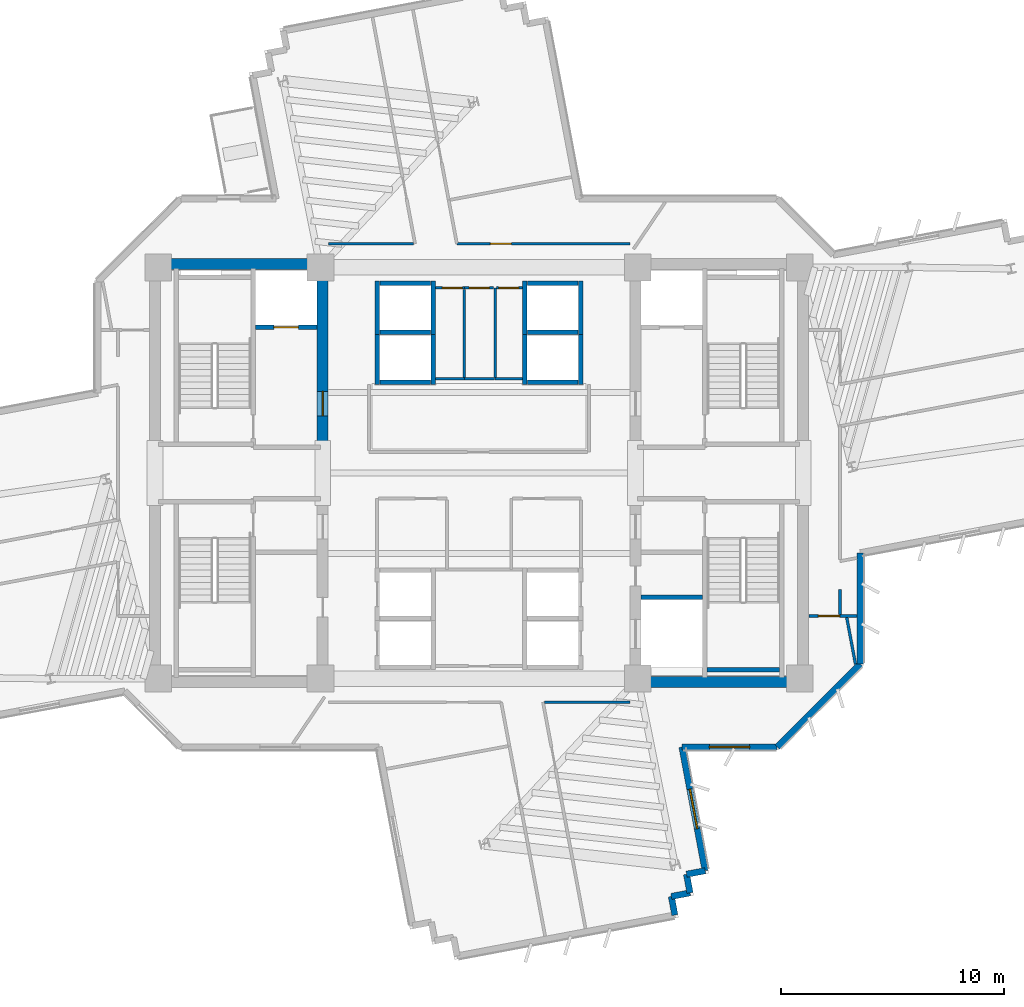
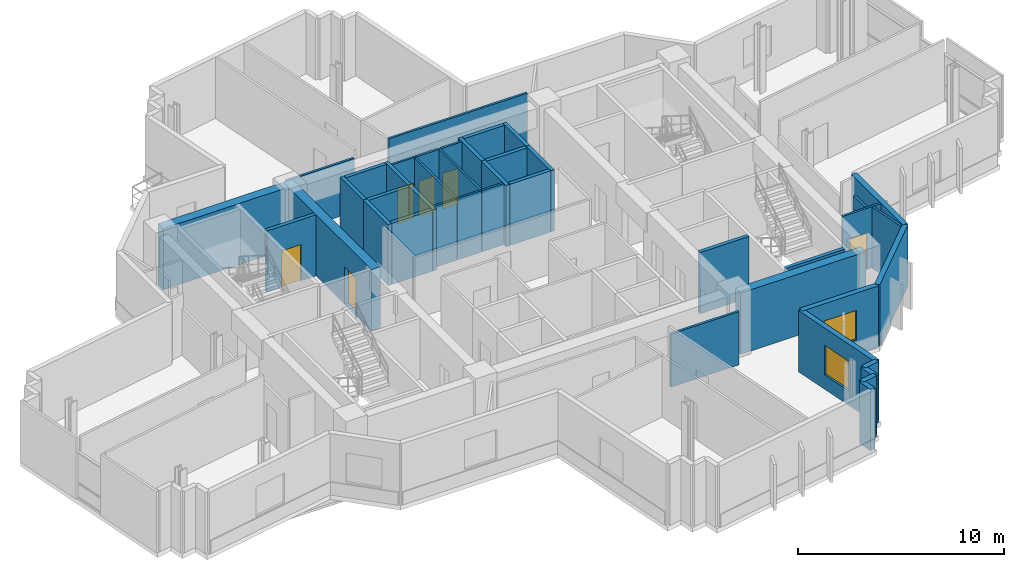
# One storey, part 10 of 16: 42 walls, 7 doors, 2 windows, 9 openings.
"""IFC4 building model written with IfcOpenShell, lengths in metres."""

from ifc_helpers import new_model, si_unit, direction, frame, frame_2d, origin, place, context, subcontext, project, spatial, rectangle, extrude, source, transform, mapped, material, layer, layer_set, type_object, element, fill, save


model = new_model("IFC4")

# Units and contexts
model_context = context("Model", 3, precision=1e-05, world=origin(), true_north=direction((0.0, 1.0)))
body_context = subcontext(model_context, "Body", "Model", "MODEL_VIEW")
ifc_project = project(units=[si_unit("LENGTHUNIT", "METRE"), si_unit("AREAUNIT", "SQUARE_METRE"), si_unit("VOLUMEUNIT", "CUBIC_METRE"), si_unit("PLANEANGLEUNIT", "RADIAN"), si_unit("MASSUNIT", "GRAM", prefix="KILO")], contexts=[model_context])

# Site, building, storey
site_placement = place(None, origin())
site = spatial("IfcSite", under=ifc_project, at=site_placement, CompositionType="ELEMENT")
building_placement = place(site_placement, origin())
building = spatial("IfcBuilding", under=site, at=building_placement, Name="Zahravan Cultural Tower", CompositionType="ELEMENT")
storey_placement = place(building_placement, frame((0.0, 0.0, 151.199951171875)))
storey = spatial("IfcBuildingStorey", under=building, at=storey_placement, Name="L34", CompositionType="ELEMENT", Elevation=151.199951171875)

# Wall, opening, door
ifc_material_1 = material(Name="Concrete C60/75", Category="concrete")
ifc_layer_1 = layer(ifc_material_1, 0.5)
ifc_layer_set_1 = layer_set([ifc_layer_1], Name="Concrete C60/75")
wall_type_1 = type_object("IfcWallType", Name="CW-SHEAR-500-C60", PredefinedType="SHEAR", material=ifc_layer_set_1)
wall_1_placement = place(storey_placement, frame((29.0, 28.050048828125, 0.0), z_axis=(0.0, 0.0, 1.0), x_axis=(0.0, 1.0, 0.0)))
wall_1 = element("IfcWall", 1, at=wall_1_placement, inside=storey, type_object=wall_type_1, Name="L34 Core Shear Wall CW-W-EN-L34", PredefinedType="SHEAR", context=body_context, shape_type="SweptSolid", body=[
    extrude(rectangle(XDim=8.550048828125, YDim=0.5, at=frame_2d((4.27490234375, 0.0))), origin(), (0.0, 0.0, 1.0), 3.6201171875),
])
opening_1_placement = place(wall_1_placement, frame((1.5, 0.0, 0.0)))
opening_1 = element("IfcOpeningElement", 2, at=opening_1_placement, cuts=wall_1, Name="Opening D-L34-05", PredefinedType="OPENING", context=body_context, shape_type="SweptSolid", body=[
    extrude(rectangle(XDim=1.10009765625, YDim=2.199951171875, at=frame_2d((0.550048828125, 1.10009765625))), frame((0.0, 0.260009765625, 0.0), z_axis=(0.0, -1.0, 0.0), x_axis=(1.0, 0.0, 0.0)), (0.0, 0.0, 1.0), 0.52001953125),
])
ifc_material_2 = material(Name="Steel ASTM A572 Grade 50", Category="steel")
door_type_1 = type_object("IfcDoorType", Name="DR-LOBBY-1100", OperationType="NOTDEFINED", PredefinedType="DOOR", material=ifc_material_2)
shared_shape_1 = source(origin(), body_context, "Body", "SweptSolid", [
    extrude(rectangle(XDim=1.10009765625, YDim=2.199951171875, at=frame_2d((0.550048828125, 1.10009765625))), frame((0.0, 0.02490234375, 0.0), z_axis=(0.0, -1.0, 0.0), x_axis=(1.0, 0.0, 0.0)), (0.0, 0.0, 1.0), 0.050048828125),
])
door_1_placement = place(opening_1_placement, origin())
door_1 = element("IfcDoor", 3, at=door_1_placement, inside=storey, type_object=door_type_1, Name="L34 Door D-L34-05", OperationType="SINGLE_SWING_RIGHT", OverallHeight=2.199951171875, OverallWidth=1.10009765625, PredefinedType="DOOR", context=body_context, shape_type="MappedRepresentation", body=[
    mapped(shared_shape_1, transform((0.0, 0.0, 0.0), x_axis=(1.0, 0.0, 0.0), y_axis=(0.0, 1.0, 0.0), z_axis=(0.0, 0.0, 1.0), scale=1.0)),
])
fill(opening_1, door_1)

# Wall, opening, window
ifc_material_3 = material(Name="Precast concrete C40/50", Category="concrete")
ifc_layer_2 = layer(ifc_material_3, 0.280029296875)
ifc_layer_set_2 = layer_set([ifc_layer_2], Name="Precast concrete C40/50")
wall_type_2 = type_object("IfcWallType", Name="EW-TC-280", PredefinedType="SOLIDWALL", material=ifc_layer_set_2)
wall_2_placement = place(storey_placement, frame((49.342041015625, 14.739990234375, 0.0), z_axis=(0.0, 0.0, 1.0), x_axis=(-1.0, 0.0, 0.0)))
wall_2 = element("IfcWall", 4, at=wall_2_placement, inside=storey, type_object=wall_type_2, Name="L34 Exterior Masonry Frame Wall 13", PredefinedType="SOLIDWALL", context=body_context, shape_type="SweptSolid", body=[
    extrude(rectangle(XDim=4.262451171875, YDim=0.280029296875, at=frame_2d((2.13134765625, 0.0))), origin(), (0.0, 0.0, 1.0), 3.6201171875),
])
opening_2_placement = place(wall_2_placement, frame((1.23095703125, 0.0, 0.85009765625)))
opening_2 = element("IfcOpeningElement", 5, at=opening_2_placement, cuts=wall_2, Name="Opening WN-02", PredefinedType="OPENING", context=body_context, shape_type="SweptSolid", body=[
    extrude(rectangle(XDim=1.800048828125, YDim=1.75, at=frame_2d((0.89990234375, 0.875))), frame((0.0, 0.14990234375, 0.0), z_axis=(0.0, -1.0, 0.0), x_axis=(1.0, 0.0, 0.0)), (0.0, 0.0, 1.0), 0.300048828125),
])
ifc_material_4 = material(Name="Low-E solar-control double glazing", Category="glass")
window_type = type_object("IfcWindowType", Name="WN-REC-1800X1750", PartitioningType="DOUBLE_PANEL_VERTICAL", PredefinedType="WINDOW", material=ifc_material_4)
shared_shape_2 = source(origin(), body_context, "Body", "SweptSolid", [
    extrude(rectangle(XDim=1.800048828125, YDim=1.75, at=frame_2d((0.89990234375, 0.875))), frame((0.0, 0.030029296875, 0.0), z_axis=(0.0, -1.0, 0.0), x_axis=(1.0, 0.0, 0.0)), (0.0, 0.0, 1.0), 0.06005859375),
])
window_1_placement = place(opening_2_placement, origin())
window_1 = element("IfcWindow", 6, at=window_1_placement, inside=storey, type_object=window_type, Name="L34 Recessed Solar Window 03", OverallHeight=1.75, OverallWidth=1.800048828125, PartitioningType="DOUBLE_PANEL_VERTICAL", PredefinedType="WINDOW", context=body_context, shape_type="MappedRepresentation", body=[
    mapped(shared_shape_2, transform((0.0, 0.0, 0.0), x_axis=(1.0, 0.0, 0.0), y_axis=(0.0, 1.0, 0.0), z_axis=(0.0, 0.0, 1.0), scale=1.0)),
])
fill(opening_2, window_1)

wall_3_placement = place(storey_placement, frame((45.07958984375, 14.739990234375, 0.0), z_axis=(0.0, 0.0, 1.0), x_axis=(0.184678339457, -0.982799018587, 0.0)))
wall_3 = element("IfcWall", 7, at=wall_3_placement, inside=storey, type_object=wall_type_2, Name="L34 Exterior Masonry Frame Wall 14", PredefinedType="SOLIDWALL", context=body_context, shape_type="SweptSolid", body=[
    extrude(rectangle(XDim=5.63427734375, YDim=0.280029296875, at=frame_2d((2.817138671875, 0.0))), origin(), (0.0, 0.0, 1.0), 3.6201171875),
])
opening_3_placement = place(wall_3_placement, frame((1.9169921875, 0.0, 0.85009765625)))
opening_3 = element("IfcOpeningElement", 8, at=opening_3_placement, cuts=wall_3, Name="Opening WN-02", PredefinedType="OPENING", context=body_context, shape_type="SweptSolid", body=[
    extrude(rectangle(XDim=1.800048828125, YDim=1.75, at=frame_2d((0.89990234375, 0.875))), frame((0.0, 0.14990234375, 0.0), z_axis=(0.0, -1.0, 0.0), x_axis=(1.0, 0.0, 0.0)), (0.0, 0.0, 1.0), 0.300048828125),
])
window_2_placement = place(opening_3_placement, origin())
window_2 = element("IfcWindow", 9, at=window_2_placement, inside=storey, type_object=window_type, Name="L34 Recessed Solar Window 04", OverallHeight=1.75, OverallWidth=1.800048828125, PartitioningType="DOUBLE_PANEL_VERTICAL", PredefinedType="WINDOW", context=body_context, shape_type="MappedRepresentation", body=[
    mapped(shared_shape_2, transform((0.0, 0.0, 0.0), x_axis=(1.0, 0.0, 0.0), y_axis=(0.0, 1.0, 0.0), z_axis=(0.0, 0.0, 1.0), scale=1.0)),
])
fill(opening_3, window_2)

# Wall, opening, door
ifc_material_5 = material(Name="Gypsum plasterboard partition")
ifc_layer_3 = layer(ifc_material_5, 0.125)
ifc_layer_set_3 = layer_set([ifc_layer_3], Name="Gypsum plasterboard partition")
wall_type_3 = type_object("IfcWallType", Name="W-PART-125", PredefinedType="PARTITIONING", material=ifc_layer_set_3)
wall_4_placement = place(storey_placement, frame((50.7548828125, 20.60009765625, 0.0), z_axis=(0.0, 0.0, 1.0), x_axis=(0.99999875384, 0.001578708001, 0.0)))
wall_4 = element("IfcWall", 10, at=wall_4_placement, inside=storey, type_object=wall_type_3, Name="L34 Interior Wall 065", PredefinedType="PARTITIONING", context=body_context, shape_type="SweptSolid", body=[
    extrude(rectangle(XDim=2.1650390625, YDim=0.125, at=frame_2d((1.08251953125, 0.0))), origin(), (0.0, 0.0, 1.0), 3.6201171875),
])
opening_4_placement = place(wall_4_placement, frame((0.42529296875, 0.0, 0.0)))
opening_4 = element("IfcOpeningElement", 11, at=opening_4_placement, cuts=wall_4, Name="Opening D-L34-18", PredefinedType="OPENING", context=body_context, shape_type="SweptSolid", body=[
    extrude(rectangle(XDim=0.949951171875, YDim=2.14990234375, at=frame_2d((0.47509765625, 1.074951171875))), frame((0.0, 0.072509765625, 0.0), z_axis=(0.0, -1.0, 0.0), x_axis=(1.0, 0.0, 0.0)), (0.0, 0.0, 1.0), 0.14501953125),
])
ifc_material_6 = material(Name="Anodised bronze-aluminium mullion", Category="aluminium")
door_type_2 = type_object("IfcDoorType", Name="DR-ROOM-950", OperationType="NOTDEFINED", PredefinedType="DOOR", material=ifc_material_6)
shared_shape_3 = source(origin(), body_context, "Body", "SweptSolid", [
    extrude(rectangle(XDim=0.949951171875, YDim=2.14990234375, at=frame_2d((0.47509765625, 1.074951171875))), frame((0.0, 0.02490234375, 0.0), z_axis=(0.0, -1.0, 0.0), x_axis=(1.0, 0.0, 0.0)), (0.0, 0.0, 1.0), 0.050048828125),
])
door_2_placement = place(opening_4_placement, origin())
door_2 = element("IfcDoor", 12, at=door_2_placement, inside=storey, type_object=door_type_2, Name="L34 Door D-L34-18", OperationType="SINGLE_SWING_LEFT", OverallHeight=2.14990234375, OverallWidth=0.949951171875, PredefinedType="DOOR", context=body_context, shape_type="MappedRepresentation", body=[
    mapped(shared_shape_3, transform((0.0, 0.0, 0.0), x_axis=(1.0, 0.0, 0.0), y_axis=(0.0, 1.0, 0.0), z_axis=(0.0, 0.0, 1.0), scale=1.0)),
])
fill(opening_4, door_2)

wall_5_placement = place(storey_placement, frame((42.7490234375, 37.259033203125, 0.0), z_axis=(0.0, 0.0, 1.0), x_axis=(-0.999999992041, 0.000126163065, 0.0)))
wall_5 = element("IfcWall", 13, at=wall_5_placement, inside=storey, type_object=wall_type_3, Name="L34 Interior Wall 076", PredefinedType="PARTITIONING", context=body_context, shape_type="SweptSolid", body=[
    extrude(rectangle(XDim=7.740478515625, YDim=0.125, at=frame_2d((3.8701171875, 0.0))), origin(), (0.0, 0.0, 1.0), 3.6201171875),
])
opening_5_placement = place(wall_5_placement, frame((5.29638671875, 0.0, 0.0)))
opening_5 = element("IfcOpeningElement", 14, at=opening_5_placement, cuts=wall_5, Name="Opening D-L34-21", PredefinedType="OPENING", context=body_context, shape_type="SweptSolid", body=[
    extrude(rectangle(XDim=0.949951171875, YDim=2.14990234375, at=frame_2d((0.47509765625, 1.074951171875))), frame((0.0, 0.072509765625, 0.0), z_axis=(0.0, -1.0, 0.0), x_axis=(1.0, 0.0, 0.0)), (0.0, 0.0, 1.0), 0.14501953125),
])
door_3_placement = place(opening_5_placement, origin())
door_3 = element("IfcDoor", 15, at=door_3_placement, inside=storey, type_object=door_type_2, Name="L34 Door D-L34-21", OperationType="SINGLE_SWING_RIGHT", OverallHeight=2.14990234375, OverallWidth=0.949951171875, PredefinedType="DOOR", context=body_context, shape_type="MappedRepresentation", body=[
    mapped(shared_shape_3, transform((0.0, 0.0, 0.0), x_axis=(1.0, 0.0, 0.0), y_axis=(0.0, 1.0, 0.0), z_axis=(0.0, 0.0, 1.0), scale=1.0)),
])
fill(opening_5, door_3)

ifc_material_7 = material(Name="Concrete C45/55", Category="concrete")
ifc_layer_4 = layer(ifc_material_7, 0.199951171875)
ifc_layer_set_4 = layer_set([ifc_layer_4], Name="Concrete C45/55")
wall_type_4 = type_object("IfcWallType", Name="W-SHAFT-200", PredefinedType="SOLIDWALL", material=ifc_layer_set_4)
wall_6_placement = place(storey_placement, frame((26.0, 33.52001953125, 0.0), z_axis=(0.0, 0.0, 1.0), x_axis=(1.0, 0.0, 0.0)))
wall_6 = element("IfcWall", 16, at=wall_6_placement, inside=storey, type_object=wall_type_4, Name="L34 Interior Wall 021", PredefinedType="SOLIDWALL", context=body_context, shape_type="SweptSolid", body=[
    extrude(rectangle(XDim=2.75, YDim=0.199951171875, at=frame_2d((1.375, 0.0))), origin(), (0.0, 0.0, 1.0), 3.6201171875),
])
opening_6_placement = place(wall_6_placement, frame((0.820068359375, 0.0, 0.0)))
opening_6 = element("IfcOpeningElement", 17, at=opening_6_placement, cuts=wall_6, Name="Opening LD-L34-01", PredefinedType="OPENING", context=body_context, shape_type="SweptSolid", body=[
    extrude(rectangle(XDim=1.10009765625, YDim=2.14990234375, at=frame_2d((0.550048828125, 1.074951171875))), frame((0.0, 0.10986328125, 0.0), z_axis=(0.0, -1.0, 0.0), x_axis=(1.0, 0.0, 0.0)), (0.0, 0.0, 1.0), 0.219970703125),
])
door_type_3 = type_object("IfcDoorType", Name="DR-LIFT-1100", OperationType="DOUBLE_DOOR_SLIDING", PredefinedType="DOOR", material=ifc_material_2)
shared_shape_4 = source(origin(), body_context, "Body", "SweptSolid", [
    extrude(rectangle(XDim=1.10009765625, YDim=2.14990234375, at=frame_2d((0.550048828125, 1.074951171875))), frame((0.0, 0.02490234375, 0.0), z_axis=(0.0, -1.0, 0.0), x_axis=(1.0, 0.0, 0.0)), (0.0, 0.0, 1.0), 0.050048828125),
])
door_4_placement = place(opening_6_placement, origin())
door_4 = element("IfcDoor", 18, at=door_4_placement, inside=storey, type_object=door_type_3, Name="L34 Door LD-L34-01", OperationType="DOUBLE_DOOR_SLIDING", OverallHeight=2.14990234375, OverallWidth=1.10009765625, PredefinedType="DOOR", context=body_context, shape_type="MappedRepresentation", body=[
    mapped(shared_shape_4, transform((0.0, 0.0, 0.0), x_axis=(1.0, 0.0, 0.0), y_axis=(0.0, 1.0, 0.0), z_axis=(0.0, 0.0, 1.0), scale=1.0)),
])
fill(opening_6, door_4)

ifc_layer_5 = layer(ifc_material_5, 0.114990234375)
ifc_layer_set_5 = layer_set([ifc_layer_5], Name="Gypsum plasterboard partition")
wall_type_5 = type_object("IfcWallType", Name="W-WC-115", PredefinedType="PARTITIONING", material=ifc_layer_set_5)
wall_7_placement = place(storey_placement, frame((36.782470703125, 35.280029296875, 0.0), z_axis=(0.0, 0.0, 1.0), x_axis=(1.0, 0.0, 0.0)))
wall_7 = element("IfcWall", 19, at=wall_7_placement, inside=storey, type_object=wall_type_5, Name="L34 Interior Wall 056", PredefinedType="PARTITIONING", context=body_context, shape_type="SweptSolid", body=[
    extrude(rectangle(XDim=1.16259765625, YDim=0.114990234375, at=frame_2d((0.581298828125, 0.0))), origin(), (0.0, 0.0, 1.0), 3.6201171875),
])
opening_7_placement = place(wall_7_placement, frame((0.0888671875, 0.0, 0.0)))
opening_7 = element("IfcOpeningElement", 20, at=opening_7_placement, cuts=wall_7, Name="Opening D-L34-15", PredefinedType="OPENING", context=body_context, shape_type="SweptSolid", body=[
    extrude(rectangle(XDim=0.89990234375, YDim=2.10009765625, at=frame_2d((0.449951171875, 1.050048828125))), frame((0.0, 0.0673828125, 0.0), z_axis=(0.0, -1.0, 0.0), x_axis=(1.0, 0.0, 0.0)), (0.0, 0.0, 1.0), 0.135009765625),
])
door_type_4 = type_object("IfcDoorType", Name="DR-WC-900", OperationType="NOTDEFINED", PredefinedType="DOOR", material=ifc_material_6)
shared_shape_5 = source(origin(), body_context, "Body", "SweptSolid", [
    extrude(rectangle(XDim=0.89990234375, YDim=2.10009765625, at=frame_2d((0.449951171875, 1.050048828125))), frame((0.0, 0.02490234375, 0.0), z_axis=(0.0, -1.0, 0.0), x_axis=(1.0, 0.0, 0.0)), (0.0, 0.0, 1.0), 0.050048828125),
])
door_5_placement = place(opening_7_placement, origin())
door_5 = element("IfcDoor", 21, at=door_5_placement, inside=storey, type_object=door_type_4, Name="L34 Door D-L34-15", OperationType="SINGLE_SWING_RIGHT", OverallHeight=2.10009765625, OverallWidth=0.89990234375, PredefinedType="DOOR", context=body_context, shape_type="MappedRepresentation", body=[
    mapped(shared_shape_5, transform((0.0, 0.0, 0.0), x_axis=(1.0, 0.0, 0.0), y_axis=(0.0, 1.0, 0.0), z_axis=(0.0, 0.0, 1.0), scale=1.0)),
])
fill(opening_7, door_5)

wall_8_placement = place(storey_placement, frame((34.054931640625, 35.280029296875, 0.0), z_axis=(0.0, 0.0, 1.0), x_axis=(1.0, 0.0, 0.0)))
wall_8 = element("IfcWall", 22, at=wall_8_placement, inside=storey, type_object=wall_type_5, Name="L34 Interior Wall 058", PredefinedType="PARTITIONING", context=body_context, shape_type="SweptSolid", body=[
    extrude(rectangle(XDim=1.28515625, YDim=0.114990234375, at=frame_2d((0.642578125, 0.0))), origin(), (0.0, 0.0, 1.0), 3.6201171875),
])
opening_8_placement = place(wall_8_placement, frame((0.30029296875, 0.0, 0.0)))
opening_8 = element("IfcOpeningElement", 23, at=opening_8_placement, cuts=wall_8, Name="Opening D-L34-13", PredefinedType="OPENING", context=body_context, shape_type="SweptSolid", body=[
    extrude(rectangle(XDim=0.89990234375, YDim=2.10009765625, at=frame_2d((0.449951171875, 1.050048828125))), frame((0.0, 0.0673828125, 0.0), z_axis=(0.0, -1.0, 0.0), x_axis=(1.0, 0.0, 0.0)), (0.0, 0.0, 1.0), 0.135009765625),
])
door_6_placement = place(opening_8_placement, origin())
door_6 = element("IfcDoor", 24, at=door_6_placement, inside=storey, type_object=door_type_4, Name="L34 Door D-L34-13", OperationType="SINGLE_SWING_RIGHT", OverallHeight=2.10009765625, OverallWidth=0.89990234375, PredefinedType="DOOR", context=body_context, shape_type="MappedRepresentation", body=[
    mapped(shared_shape_5, transform((0.0, 0.0, 0.0), x_axis=(1.0, 0.0, 0.0), y_axis=(0.0, 1.0, 0.0), z_axis=(0.0, 0.0, 1.0), scale=1.0)),
])
fill(opening_8, door_6)

wall_9_placement = place(storey_placement, frame((35.360107421875, 35.280029296875, 0.0), z_axis=(0.0, 0.0, 1.0), x_axis=(1.0, 0.0, 0.0)))
wall_9 = element("IfcWall", 25, at=wall_9_placement, inside=storey, type_object=wall_type_5, Name="L34 Interior Wall 061", PredefinedType="PARTITIONING", context=body_context, shape_type="SweptSolid", body=[
    extrude(rectangle(XDim=1.29736328125, YDim=0.114990234375, at=frame_2d((0.648681640625, 0.0))), origin(), (0.0, 0.0, 1.0), 3.6201171875),
])
opening_9_placement = place(wall_9_placement, frame((0.19873046875, 0.0, 0.0)))
opening_9 = element("IfcOpeningElement", 26, at=opening_9_placement, cuts=wall_9, Name="Opening D-L34-14", PredefinedType="OPENING", context=body_context, shape_type="SweptSolid", body=[
    extrude(rectangle(XDim=0.89990234375, YDim=2.10009765625, at=frame_2d((0.449951171875, 1.050048828125))), frame((0.0, 0.0673828125, 0.0), z_axis=(0.0, -1.0, 0.0), x_axis=(1.0, 0.0, 0.0)), (0.0, 0.0, 1.0), 0.135009765625),
])
door_7_placement = place(opening_9_placement, origin())
door_7 = element("IfcDoor", 27, at=door_7_placement, inside=storey, type_object=door_type_4, Name="L34 Door D-L34-14", OperationType="SINGLE_SWING_LEFT", OverallHeight=2.10009765625, OverallWidth=0.89990234375, PredefinedType="DOOR", context=body_context, shape_type="MappedRepresentation", body=[
    mapped(shared_shape_5, transform((0.0, 0.0, 0.0), x_axis=(1.0, 0.0, 0.0), y_axis=(0.0, 1.0, 0.0), z_axis=(0.0, 0.0, 1.0), scale=1.0)),
])
fill(opening_9, door_7)

# Walls
shared_shape_6 = source(origin(), body_context, "Body", "SweptSolid", [
    extrude(rectangle(XDim=7.0, YDim=0.5, at=frame_2d((3.5, 0.0))), origin(), (0.0, 0.0, 1.0), 3.6201171875),
])
for number, where, z_axis, x_axis, name in (
    (28, (21.75, 36.35009765625, 0.0), (0.0, 0.0, 1.0), (1.0, 0.0, 0.0), "L34 Core Shear Wall CW-W-N-L34"),
    (29, (43.25, 17.64990234375, 0.0), (0.0, 0.0, 1.0), (1.0, 0.0, 0.0), "L34 Core Shear Wall CW-E-S-L34"),
):
    element("IfcWall", number, at=place(storey_placement, frame(where, z_axis=z_axis, x_axis=x_axis)), inside=storey, type_object=wall_type_1, Name=name, PredefinedType="SHEAR", context=body_context, shape_type="MappedRepresentation", body=[
        mapped(shared_shape_6, transform((0.0, 0.0, 0.0), x_axis=(1.0, 0.0, 0.0), y_axis=(0.0, 1.0, 0.0), z_axis=(0.0, 0.0, 1.0), scale=1.0)),
    ])
shared_shape_7 = source(origin(), body_context, "Body", "SweptSolid", [
    extrude(rectangle(XDim=0.85009765625, YDim=0.280029296875, at=frame_2d((0.425048828125, 0.0))), origin(), (0.0, 0.0, 1.0), 3.6201171875),
])
for number, where, z_axis, x_axis, name in (
    (30, (46.1201171875, 9.20263671875, 0.0), (0.0, 0.0, 1.0), (-0.982800583684, -0.184670010318, 0.0), "L34 Exterior Masonry Frame Wall 15"),
    (31, (45.28466796875, 9.045654296875, 0.0), (0.0, 0.0, 1.0), (0.184670010318, -0.982800583684, 0.0), "L34 Exterior Masonry Frame Wall 16"),
    (32, (45.441650390625, 8.210205078125, 0.0), (0.0, 0.0, 1.0), (-0.982800583684, -0.184670010318, 0.0), "L34 Exterior Masonry Frame Wall 17"),
    (33, (44.606201171875, 8.05322265625, 0.0), (0.0, 0.0, 1.0), (0.184670010318, -0.982800583684, 0.0), "L34 Exterior Masonry Frame Wall 18"),
):
    element("IfcWall", number, at=place(storey_placement, frame(where, z_axis=z_axis, x_axis=x_axis)), inside=storey, type_object=wall_type_2, Name=name, PredefinedType="SOLIDWALL", context=body_context, shape_type="MappedRepresentation", body=[
        mapped(shared_shape_7, transform((0.0, 0.0, 0.0), x_axis=(1.0, 0.0, 0.0), y_axis=(0.0, 1.0, 0.0), z_axis=(0.0, 0.0, 1.0), scale=1.0)),
    ])
shared_shape_8 = source(origin(), body_context, "Body", "SweptSolid", [
    extrude(rectangle(XDim=5.258056640625, YDim=0.280029296875, at=frame_2d((2.62890625, 0.0))), origin(), (0.0, 0.0, 1.0), 3.6201171875),
])
wall_10_placement = place(storey_placement, frame((53.06005859375, 18.4580078125, 0.0), z_axis=(0.0, 0.0, 1.0), x_axis=(-0.707106781187, -0.707106781187, 0.0)))
element("IfcWall", 34, at=wall_10_placement, inside=storey, type_object=wall_type_2, Name="L34 Exterior Masonry Frame Wall 12", PredefinedType="SOLIDWALL", context=body_context, shape_type="MappedRepresentation", body=[
    mapped(shared_shape_8, transform((0.0, 0.0, 0.0), x_axis=(1.0, 0.0, 0.0), y_axis=(0.0, 1.0, 0.0), z_axis=(0.0, 0.0, 1.0), scale=1.0)),
])
shared_shape_9 = source(origin(), body_context, "Body", "SweptSolid", [
    extrude(rectangle(XDim=4.970458984375, YDim=0.280029296875, at=frame_2d((2.4853515625, 0.0))), origin(), (0.0, 0.0, 1.0), 3.6201171875),
])
wall_11_placement = place(storey_placement, frame((53.06005859375, 23.428466796875, 0.0), z_axis=(0.0, 0.0, 1.0), x_axis=(0.0, -1.0, 0.0)))
element("IfcWall", 35, at=wall_11_placement, inside=storey, type_object=wall_type_2, Name="L34 Exterior Masonry Frame Wall 11", PredefinedType="SOLIDWALL", context=body_context, shape_type="MappedRepresentation", body=[
    mapped(shared_shape_9, transform((0.0, 0.0, 0.0), x_axis=(1.0, 0.0, 0.0), y_axis=(0.0, 1.0, 0.0), z_axis=(0.0, 0.0, 1.0), scale=1.0)),
])
shared_shape_10 = source(origin(), body_context, "Body", "SweptSolid", [
    extrude(rectangle(XDim=3.25, YDim=0.199951171875, at=frame_2d((1.625, 0.0))), origin(), (0.0, 0.0, 1.0), 3.6201171875),
])
wall_12_placement = place(storey_placement, frame((46.199951171875, 18.199951171875, 0.0), z_axis=(0.0, 0.0, 1.0), x_axis=(1.0, 0.0, 0.0)))
element("IfcWall", 36, at=wall_12_placement, inside=storey, type_object=wall_type_4, Name="L34 Interior Wall 020", PredefinedType="SOLIDWALL", context=body_context, shape_type="MappedRepresentation", body=[
    mapped(shared_shape_10, transform((0.0, 0.0, 0.0), x_axis=(1.0, 0.0, 0.0), y_axis=(0.0, 1.0, 0.0), z_axis=(0.0, 0.0, 1.0), scale=1.0)),
])
shared_shape_11 = source(origin(), body_context, "Body", "SweptSolid", [
    extrude(rectangle(XDim=2.75, YDim=0.199951171875, at=frame_2d((1.375, 0.0))), origin(), (0.0, 0.0, 1.0), 3.6201171875),
])
wall_13_placement = place(storey_placement, frame((43.25, 21.449951171875, 0.0), z_axis=(0.0, 0.0, 1.0), x_axis=(1.0, 0.0, 0.0)))
element("IfcWall", 37, at=wall_13_placement, inside=storey, type_object=wall_type_4, Name="L34 Interior Wall 025", PredefinedType="SOLIDWALL", context=body_context, shape_type="MappedRepresentation", body=[
    mapped(shared_shape_11, transform((0.0, 0.0, 0.0), x_axis=(1.0, 0.0, 0.0), y_axis=(0.0, 1.0, 0.0), z_axis=(0.0, 0.0, 1.0), scale=1.0)),
])
shared_shape_12 = source(origin(), body_context, "Body", "SweptSolid", [
    extrude(rectangle(XDim=2.400146484375, YDim=0.199951171875, at=frame_2d((1.2001953125, 0.0))), origin(), (0.0, 0.0, 1.0), 3.6201171875),
])
for number, where, z_axis, x_axis, name in (
    (38, (31.449951171875, 33.199951171875, 0.0), (0.0, 0.0, 1.0), (0.0, 1.0, 0.0), "L34 Interior Wall 026"),
    (39, (33.949951171875, 33.199951171875, 0.0), (0.0, 0.0, 1.0), (0.0, 1.0, 0.0), "L34 Interior Wall 027"),
    (40, (31.449951171875, 30.949951171875, 0.0), (0.0, 0.0, 1.0), (0.0, 1.0, 0.0), "L34 Interior Wall 030"),
    (41, (33.949951171875, 30.949951171875, 0.0), (0.0, 0.0, 1.0), (0.0, 1.0, 0.0), "L34 Interior Wall 031"),
    (42, (38.050048828125, 33.199951171875, 0.0), (0.0, 0.0, 1.0), (0.0, 1.0, 0.0), "L34 Interior Wall 033"),
    (43, (40.550048828125, 33.199951171875, 0.0), (0.0, 0.0, 1.0), (0.0, 1.0, 0.0), "L34 Interior Wall 034"),
    (44, (38.050048828125, 30.949951171875, 0.0), (0.0, 0.0, 1.0), (0.0, 1.0, 0.0), "L34 Interior Wall 037"),
    (45, (40.550048828125, 30.949951171875, 0.0), (0.0, 0.0, 1.0), (0.0, 1.0, 0.0), "L34 Interior Wall 038"),
):
    element("IfcWall", number, at=place(storey_placement, frame(where, z_axis=z_axis, x_axis=x_axis)), inside=storey, type_object=wall_type_4, Name=name, PredefinedType="SOLIDWALL", context=body_context, shape_type="MappedRepresentation", body=[
        mapped(shared_shape_12, transform((0.0, 0.0, 0.0), x_axis=(1.0, 0.0, 0.0), y_axis=(0.0, 1.0, 0.0), z_axis=(0.0, 0.0, 1.0), scale=1.0)),
    ])
shared_shape_13 = source(origin(), body_context, "Body", "SweptSolid", [
    extrude(rectangle(XDim=2.260009765625, YDim=0.199951171875, at=frame_2d((1.1298828125, 0.0))), origin(), (0.0, 0.0, 1.0), 3.6201171875),
])
for number, where, z_axis, x_axis, name in (
    (46, (31.570068359375, 33.300048828125, 0.0), (0.0, 0.0, 1.0), (1.0, 0.0, 0.0), "L34 Interior Wall 028"),
    (47, (31.570068359375, 35.5, 0.0), (0.0, 0.0, 1.0), (1.0, 0.0, 0.0), "L34 Interior Wall 029"),
    (48, (31.570068359375, 31.050048828125, 0.0), (0.0, 0.0, 1.0), (1.0, 0.0, 0.0), "L34 Interior Wall 032"),
    (49, (38.169921875, 33.300048828125, 0.0), (0.0, 0.0, 1.0), (1.0, 0.0, 0.0), "L34 Interior Wall 035"),
    (50, (38.169921875, 35.5, 0.0), (0.0, 0.0, 1.0), (1.0, 0.0, 0.0), "L34 Interior Wall 036"),
    (51, (38.169921875, 31.050048828125, 0.0), (0.0, 0.0, 1.0), (1.0, 0.0, 0.0), "L34 Interior Wall 039"),
):
    element("IfcWall", number, at=place(storey_placement, frame(where, z_axis=z_axis, x_axis=x_axis)), inside=storey, type_object=wall_type_4, Name=name, PredefinedType="SOLIDWALL", context=body_context, shape_type="MappedRepresentation", body=[
        mapped(shared_shape_13, transform((0.0, 0.0, 0.0), x_axis=(1.0, 0.0, 0.0), y_axis=(0.0, 1.0, 0.0), z_axis=(0.0, 0.0, 1.0), scale=1.0)),
    ])
shared_shape_14 = source(origin(), body_context, "Body", "SweptSolid", [
    extrude(rectangle(XDim=1.22509765625, YDim=0.114990234375, at=frame_2d((0.612548828125, 0.0))), origin(), (0.0, 0.0, 1.0), 3.6201171875),
])
wall_14_placement = place(storey_placement, frame((37.945068359375, 31.219970703125, 0.0), z_axis=(0.0, 0.0, 1.0), x_axis=(-1.0, 0.0, 0.0)))
element("IfcWall", 52, at=wall_14_placement, inside=storey, type_object=wall_type_5, Name="L34 Interior Wall 054", PredefinedType="PARTITIONING", context=body_context, shape_type="MappedRepresentation", body=[
    mapped(shared_shape_14, transform((0.0, 0.0, 0.0), x_axis=(1.0, 0.0, 0.0), y_axis=(0.0, 1.0, 0.0), z_axis=(0.0, 0.0, 1.0), scale=1.0)),
])
shared_shape_15 = source(origin(), body_context, "Body", "SweptSolid", [
    extrude(rectangle(XDim=3.99755859375, YDim=0.114990234375, at=frame_2d((1.998779296875, 0.0))), origin(), (0.0, 0.0, 1.0), 3.6201171875),
])
wall_15_placement = place(storey_placement, frame((36.719970703125, 31.282470703125, 0.0), z_axis=(0.0, 0.0, 1.0), x_axis=(0.0, 1.0, 0.0)))
element("IfcWall", 53, at=wall_15_placement, inside=storey, type_object=wall_type_5, Name="L34 Interior Wall 055", PredefinedType="PARTITIONING", context=body_context, shape_type="MappedRepresentation", body=[
    mapped(shared_shape_15, transform((0.0, 0.0, 0.0), x_axis=(1.0, 0.0, 0.0), y_axis=(0.0, 1.0, 0.0), z_axis=(0.0, 0.0, 1.0), scale=1.0)),
])
shared_shape_16 = source(origin(), body_context, "Body", "SweptSolid", [
    extrude(rectangle(XDim=1.28515625, YDim=0.114990234375, at=frame_2d((0.642578125, 0.0))), origin(), (0.0, 0.0, 1.0), 3.6201171875),
])
wall_16_placement = place(storey_placement, frame((35.340087890625, 31.219970703125, 0.0), z_axis=(0.0, 0.0, 1.0), x_axis=(-1.0, 0.0, 0.0)))
element("IfcWall", 54, at=wall_16_placement, inside=storey, type_object=wall_type_5, Name="L34 Interior Wall 057", PredefinedType="PARTITIONING", context=body_context, shape_type="MappedRepresentation", body=[
    mapped(shared_shape_16, transform((0.0, 0.0, 0.0), x_axis=(1.0, 0.0, 0.0), y_axis=(0.0, 1.0, 0.0), z_axis=(0.0, 0.0, 1.0), scale=1.0)),
])
shared_shape_17 = source(origin(), body_context, "Body", "SweptSolid", [
    extrude(rectangle(XDim=3.93505859375, YDim=0.114990234375, at=frame_2d((1.967529296875, 0.0))), origin(), (0.0, 0.0, 1.0), 3.6201171875),
])
wall_17_placement = place(storey_placement, frame((35.340087890625, 35.217529296875, 0.0), z_axis=(0.0, 0.0, 1.0), x_axis=(0.0, -1.0, 0.0)))
element("IfcWall", 55, at=wall_17_placement, inside=storey, type_object=wall_type_5, Name="L34 Interior Wall 059", PredefinedType="PARTITIONING", context=body_context, shape_type="MappedRepresentation", body=[
    mapped(shared_shape_17, transform((0.0, 0.0, 0.0), x_axis=(1.0, 0.0, 0.0), y_axis=(0.0, 1.0, 0.0), z_axis=(0.0, 0.0, 1.0), scale=1.0)),
])
shared_shape_18 = source(origin(), body_context, "Body", "SweptSolid", [
    extrude(rectangle(XDim=1.33984375, YDim=0.114990234375, at=frame_2d((0.669921875, 0.0))), origin(), (0.0, 0.0, 1.0), 3.6201171875),
])
wall_18_placement = place(storey_placement, frame((36.699951171875, 31.219970703125, 0.0), z_axis=(0.0, 0.0, 1.0), x_axis=(-1.0, 0.0, 0.0)))
element("IfcWall", 56, at=wall_18_placement, inside=storey, type_object=wall_type_5, Name="L34 Interior Wall 060", PredefinedType="PARTITIONING", context=body_context, shape_type="MappedRepresentation", body=[
    mapped(shared_shape_18, transform((0.0, 0.0, 0.0), x_axis=(1.0, 0.0, 0.0), y_axis=(0.0, 1.0, 0.0), z_axis=(0.0, 0.0, 1.0), scale=1.0)),
])
shared_shape_19 = source(origin(), body_context, "Body", "SweptSolid", [
    extrude(rectangle(XDim=1.126953125, YDim=0.125, at=frame_2d((0.5634765625, 0.0))), origin(), (0.0, 0.0, 1.0), 3.6201171875),
])
wall_19_placement = place(storey_placement, frame((52.148681640625, 20.669921875, 0.0), z_axis=(0.0, 0.0, 1.0), x_axis=(0.001083188273, 0.999999413351, 0.0)))
element("IfcWall", 57, at=wall_19_placement, inside=storey, type_object=wall_type_3, Name="L34 Interior Wall 066", PredefinedType="PARTITIONING", context=body_context, shape_type="MappedRepresentation", body=[
    mapped(shared_shape_19, transform((0.0, 0.0, 0.0), x_axis=(1.0, 0.0, 0.0), y_axis=(0.0, 1.0, 0.0), z_axis=(0.0, 0.0, 1.0), scale=1.0)),
])
shared_shape_20 = source(origin(), body_context, "Body", "SweptSolid", [
    extrude(rectangle(XDim=2.124267578125, YDim=0.125, at=frame_2d((1.06201171875, 0.0))), origin(), (0.0, 0.0, 1.0), 3.6201171875),
])
wall_20_placement = place(storey_placement, frame((52.452392578125, 20.535400390625, 0.0), z_axis=(0.0, 0.0, 1.0), x_axis=(0.184697942122, -0.982795334836, 0.0)))
element("IfcWall", 58, at=wall_20_placement, inside=storey, type_object=wall_type_3, Name="L34 Interior Wall 067", PredefinedType="PARTITIONING", context=body_context, shape_type="MappedRepresentation", body=[
    mapped(shared_shape_20, transform((0.0, 0.0, 0.0), x_axis=(1.0, 0.0, 0.0), y_axis=(0.0, 1.0, 0.0), z_axis=(0.0, 0.0, 1.0), scale=1.0)),
])
shared_shape_21 = source(origin(), body_context, "Body", "SweptSolid", [
    extrude(rectangle(XDim=3.814208984375, YDim=0.125, at=frame_2d((1.9072265625, 0.0))), origin(), (0.0, 0.0, 1.0), 3.149169921875),
])
wall_21_placement = place(storey_placement, frame((38.932373046875, 16.739990234375, 0.0), z_axis=(0.0, 0.0, 1.0), x_axis=(0.999999948787, 0.000320040949, 0.0)))
element("IfcWall", 59, at=wall_21_placement, inside=storey, type_object=wall_type_3, Name="L34 Interior Wall 098", PredefinedType="PARTITIONING", context=body_context, shape_type="MappedRepresentation", body=[
    mapped(shared_shape_21, transform((0.0, 0.0, 0.0), x_axis=(1.0, 0.0, 0.0), y_axis=(0.0, 1.0, 0.0), z_axis=(0.0, 0.0, 1.0), scale=1.0)),
])
shared_shape_22 = source(origin(), body_context, "Body", "SweptSolid", [
    extrude(rectangle(XDim=3.812744140625, YDim=0.125, at=frame_2d((1.90625, 0.0))), origin(), (0.0, 0.0, 1.0), 3.149169921875),
])
wall_22_placement = place(storey_placement, frame((33.067626953125, 37.260009765625, 0.0), z_axis=(0.0, 0.0, 1.0), x_axis=(-0.999999948748, -0.000320163908, 0.0)))
element("IfcWall", 60, at=wall_22_placement, inside=storey, type_object=wall_type_3, Name="L34 Interior Wall 100", PredefinedType="PARTITIONING", context=body_context, shape_type="MappedRepresentation", body=[
    mapped(shared_shape_22, transform((0.0, 0.0, 0.0), x_axis=(1.0, 0.0, 0.0), y_axis=(0.0, 1.0, 0.0), z_axis=(0.0, 0.0, 1.0), scale=1.0)),
])

save(model, "model.ifc")
